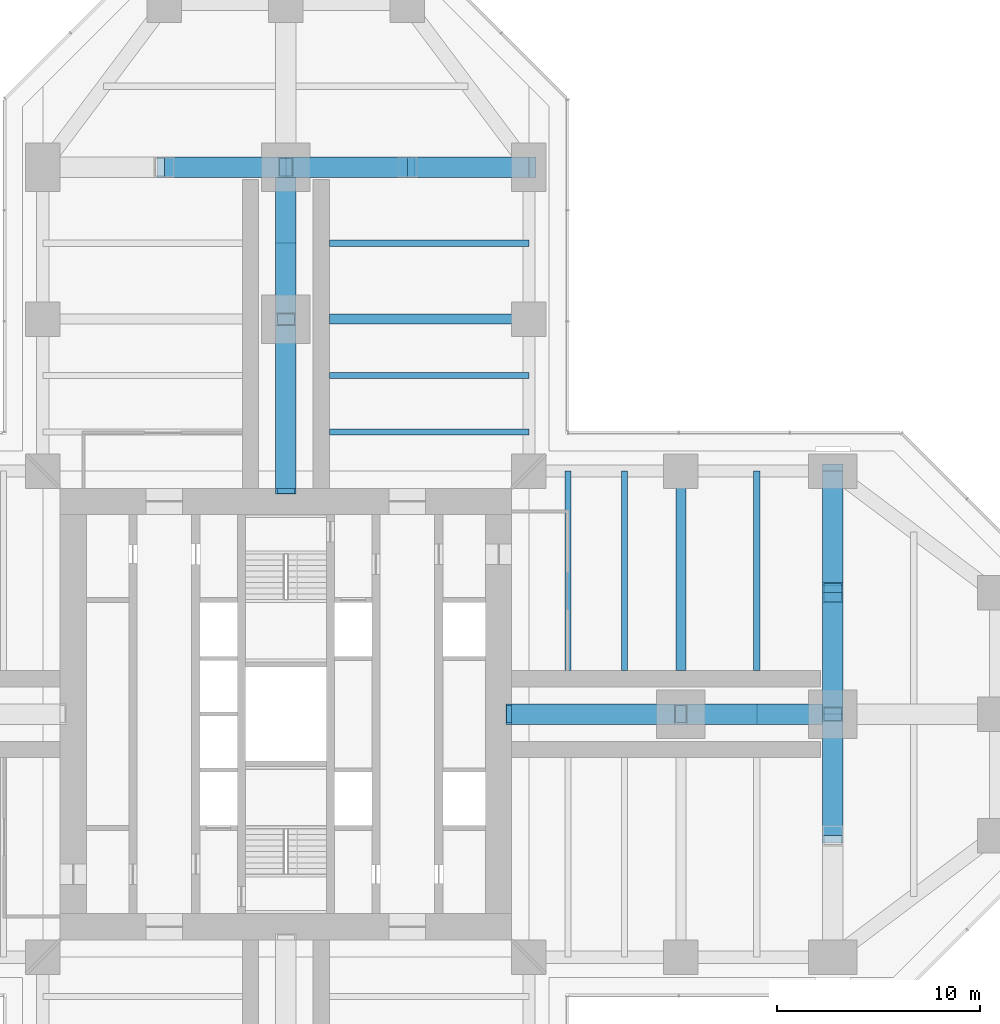
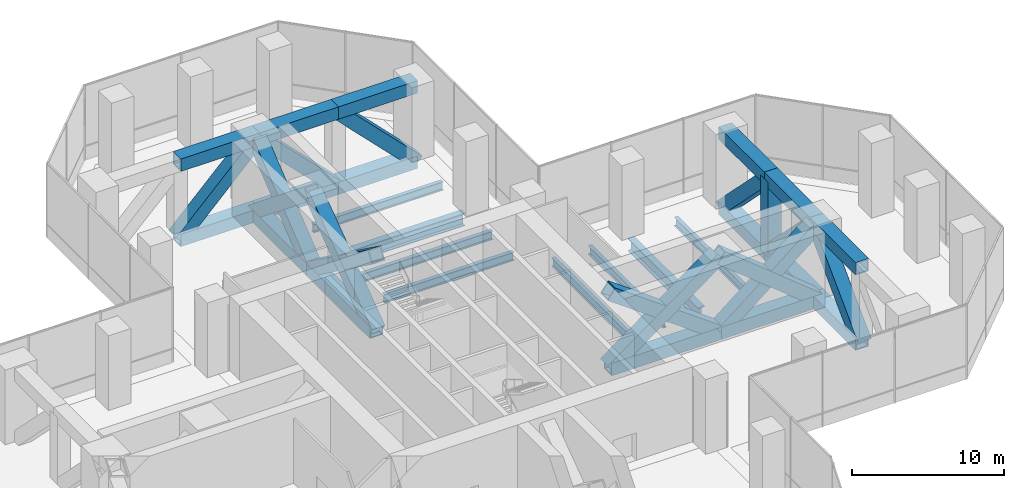
# One storey, part 9 of 20: 27 members, 12 beams.
"""IFC4 building model written with IfcOpenShell, lengths in metres."""

from ifc_helpers import new_model, si_unit, direction, frame, origin, origin_2d, place, context, subcontext, project, spatial, hollow_rectangle, i_section, extrude, material, material_profile, profile_set, type_object, element, save


model = new_model("IFC4")

# Units and contexts
model_context = context("Model", 3, precision=1e-05, world=origin(), true_north=direction((0.0, 1.0)))
body_context = subcontext(model_context, "Body", "Model", "MODEL_VIEW")
ifc_project = project(units=[si_unit("LENGTHUNIT", "METRE"), si_unit("AREAUNIT", "SQUARE_METRE"), si_unit("VOLUMEUNIT", "CUBIC_METRE"), si_unit("PLANEANGLEUNIT", "RADIAN"), si_unit("MASSUNIT", "GRAM", prefix="KILO")], contexts=[model_context])

# Site, building, storey
site_placement = place(None, origin())
site = spatial("IfcSite", under=ifc_project, at=site_placement, CompositionType="ELEMENT")
building_placement = place(site_placement, origin())
building = spatial("IfcBuilding", under=site, at=building_placement, Name="Mizan Broadcast Tower", CompositionType="ELEMENT")
storey_placement = place(building_placement, frame((0.0, 0.0, 118.199951171875)))
storey = spatial("IfcBuildingStorey", under=building, at=storey_placement, Name="L26", CompositionType="ELEMENT", Elevation=118.199951171875)

# Members
ifc_material_1 = material(Name="Steel S460", Category="steel")
ifc_material_profile_1 = material_profile(ifc_material_1, hollow_rectangle(XDim=1.0, YDim=1.0, WallThickness=0.080078125, at=origin_2d()), Name="BOX 1000x1000x80")
ifc_profile_set_1 = profile_set([ifc_material_profile_1], Name="Steel S460")
member_type_1 = type_object("IfcMemberType", Name="BELT TRUSS BT2 CHORD BOX 1000x1000x80", PredefinedType="CHORD", material=ifc_profile_set_1)
for number, where, z_axis, x_axis, name in (
    (1, (27.0, -6.0, -0.679931640625), (0.0, 1.0, 0.0), (-1.0, 0.0, 0.0), "Belt truss BT2-E27 bottom chord 2"),
    (2, (27.0, -6.0, 5.3701171875), (0.0, 1.0, 0.0), (-1.0, 0.0, 0.0), "Belt truss BT2-E27 top chord 2"),
    (3, (27.0, 0.0, -0.679931640625), (0.0, 1.0, 0.0), (-1.0, 0.0, 0.0), "Belt truss BT2-E27 bottom chord 3"),
    (4, (27.0, 0.0, 5.3701171875), (0.0, 1.0, 0.0), (-1.0, 0.0, 0.0), "Belt truss BT2-E27 top chord 3"),
    (5, (27.0, 6.0, -0.679931640625), (0.0, 1.0, 0.0), (-1.0, 0.0, 0.0), "Belt truss BT2-E27 bottom chord 4"),
    (6, (27.0, 6.0, 5.3701171875), (0.0, 1.0, 0.0), (-1.0, 0.0, 0.0), "Belt truss BT2-E27 top chord 4"),
    (7, (12.0, 27.0, -0.679931640625), (-1.0, 0.0, 0.0), (0.0, -1.0, 0.0), "Belt truss BT2-N27 bottom chord 1"),
    (8, (12.0, 27.0, 5.3701171875), (-1.0, 0.0, 0.0), (0.0, -1.0, 0.0), "Belt truss BT2-N27 top chord 1"),
    (9, (6.0, 27.0, -0.679931640625), (-1.0, 0.0, 0.0), (0.0, -1.0, 0.0), "Belt truss BT2-N27 bottom chord 2"),
    (10, (6.0, 27.0, 5.3701171875), (-1.0, 0.0, 0.0), (0.0, -1.0, 0.0), "Belt truss BT2-N27 top chord 2"),
    (11, (0.0, 27.0, -0.679931640625), (-1.0, 0.0, 0.0), (0.0, -1.0, 0.0), "Belt truss BT2-N27 bottom chord 3"),
    (12, (0.0, 27.0, 5.3701171875), (-1.0, 0.0, 0.0), (0.0, -1.0, 0.0), "Belt truss BT2-N27 top chord 3"),
):
    element("IfcMember", number, at=place(storey_placement, frame(where, z_axis=z_axis, x_axis=x_axis)), inside=storey, type_object=member_type_1, Name=name, PredefinedType="CHORD", context=body_context, shape_type="SweptSolid", body=[
        extrude(hollow_rectangle(XDim=1.0, YDim=1.0, WallThickness=0.080078125, at=origin_2d()), origin(), (0.0, 0.0, 1.0), 6.0),
    ])
ifc_material_2 = material(Name="Steel S460", Category="steel")
ifc_material_profile_2 = material_profile(ifc_material_2, hollow_rectangle(XDim=1.0, YDim=1.0, WallThickness=0.06005859375, at=origin_2d()), Name="BOX 1000x1000x60")
ifc_profile_set_2 = profile_set([ifc_material_profile_2], Name="Steel S460")
member_type_2 = type_object("IfcMemberType", Name="BELT TRUSS BT2 DIAGONAL BOX 1000x1000x60", PredefinedType="BRACE", material=ifc_profile_set_2)
for number, where, z_axis, x_axis, name in (
    (13, (27.0, -6.0, -0.679931640625), (0.0, 0.704163801085, 0.710037563261), (-1.0, 0.0, 0.0), "Belt truss BT2-E27 diagonal 2"),
    (14, (27.0, 6.0, -0.679931640625), (0.0, -0.704163801085, 0.710037563261), (1.0, 0.0, 0.0), "Belt truss BT2-E27 diagonal 3"),
    (15, (27.0, 12.0, -0.679931640625), (0.0, -0.704163801085, 0.710037563261), (1.0, 0.0, 0.0), "Belt truss BT2-E27 diagonal 4"),
    (16, (12.0, 27.0, -0.679931640625), (-0.704163801085, 0.0, 0.710037563261), (0.0, -1.0, 0.0), "Belt truss BT2-N27 diagonal 1"),
    (17, (6.0, 27.0, -0.679931640625), (-0.704163801085, 0.0, 0.710037563261), (0.0, -1.0, 0.0), "Belt truss BT2-N27 diagonal 2"),
    (18, (-6.0, 27.0, -0.679931640625), (0.704163801085, 0.0, 0.710037563261), (0.0, 1.0, 0.0), "Belt truss BT2-N27 diagonal 3"),
):
    element("IfcMember", number, at=place(storey_placement, frame(where, z_axis=z_axis, x_axis=x_axis)), inside=storey, type_object=member_type_2, Name=name, PredefinedType="BRACE", context=body_context, shape_type="SweptSolid", body=[
        extrude(hollow_rectangle(XDim=1.0, YDim=1.0, WallThickness=0.06005859375, at=origin_2d()), origin(), (0.0, 0.0, 1.0), 8.520751953125),
    ])
ifc_material_3 = material(Name="Steel S460", Category="steel")
ifc_material_profile_3 = material_profile(ifc_material_3, hollow_rectangle(XDim=1.0, YDim=1.0, WallThickness=0.06005859375, at=origin_2d()), Name="BOX 1000x1000x60")
ifc_profile_set_3 = profile_set([ifc_material_profile_3], Name="Steel S460")
member_type_3 = type_object("IfcMemberType", Name="BELT TRUSS BT2 POST BOX 1000x1000x60", PredefinedType="POST", material=ifc_profile_set_3)
member_placement = place(storey_placement, frame((27.0, 6.0, -0.679931640625), z_axis=(0.0, 0.0, 1.0), x_axis=(1.0, 0.0, 0.0)))
element("IfcMember", 19, at=member_placement, inside=storey, type_object=member_type_3, Name="Belt truss BT2-E27 post 3", PredefinedType="POST", context=body_context, shape_type="SweptSolid", body=[
    extrude(hollow_rectangle(XDim=1.0, YDim=1.0, WallThickness=0.06005859375, at=origin_2d()), origin(), (0.0, 0.0, 1.0), 6.050048828125),
])

# Beams
ifc_material_4 = material(Name="Steel S460", Category="steel")
ifc_material_profile_4 = material_profile(ifc_material_4, i_section(OverallWidth=0.5, OverallDepth=1.0, WebThickness=0.02490234375, FlangeThickness=0.050048828125, at=origin_2d()), Name="WPG 1000x500")
ifc_profile_set_4 = profile_set([ifc_material_profile_4], Name="Steel S460")
beam_type_1 = type_object("IfcBeamType", Name="GIRDER WPG 1000x500", PredefinedType="BEAM", material=ifc_profile_set_4)
for number, where, z_axis, x_axis, name in (
    (20, (19.5, 11.408935546875, -0.679931640625), (0.0, -1.0, 0.0), (1.0, 0.0, 0.0), "Girder WPG 1000x500 L26 east arm"),
    (21, (11.408935546875, 19.5, -0.679931640625), (-1.0, 0.0, 0.0), (0.0, -1.0, 0.0), "Girder WPG 1000x500 L26 north arm"),
):
    element("IfcBeam", number, at=place(storey_placement, frame(where, z_axis=z_axis, x_axis=x_axis)), inside=storey, type_object=beam_type_1, Name=name, PredefinedType="BEAM", context=body_context, shape_type="SweptSolid", body=[
        extrude(i_section(OverallWidth=0.5, OverallDepth=1.0, WebThickness=0.02490234375, FlangeThickness=0.050048828125, at=origin_2d()), origin(), (0.0, 0.0, 1.0), 9.259033203125),
    ])
ifc_material_5 = material(Name="Steel S460", Category="steel")
ifc_material_profile_5 = material_profile(ifc_material_5, hollow_rectangle(XDim=1.0, YDim=1.0, WallThickness=0.080078125, at=origin_2d()), Name="BOX 1000x1000x80")
ifc_profile_set_5 = profile_set([ifc_material_profile_5], Name="Steel S460")
beam_type_2 = type_object("IfcBeamType", Name="OUTRIGGER TRUSS OT2 CHORD BOX 1000x1000x80", PredefinedType="BEAM", material=ifc_profile_set_5)
beam_1_placement = place(storey_placement, frame((11.14990234375, 0.0, -0.679931640625), z_axis=(1.0, 0.0, 0.0), x_axis=(0.0, 1.0, 0.0)))
element("IfcBeam", 22, at=beam_1_placement, inside=storey, type_object=beam_type_2, Name="Outrigger truss OT2-E bottom chord 1", PredefinedType="BEAM", context=body_context, shape_type="SweptSolid", body=[
    extrude(hollow_rectangle(XDim=1.0, YDim=1.0, WallThickness=0.080078125, at=origin_2d()), origin(), (0.0, 0.0, 1.0), 8.35009765625),
])
beam_2_placement = place(storey_placement, frame((19.5, 0.0, -0.679931640625), z_axis=(1.0, 0.0, 0.0), x_axis=(0.0, 1.0, 0.0)))
element("IfcBeam", 23, at=beam_2_placement, inside=storey, type_object=beam_type_2, Name="Outrigger truss OT2-E bottom chord 2", PredefinedType="BEAM", context=body_context, shape_type="SweptSolid", body=[
    extrude(hollow_rectangle(XDim=1.0, YDim=1.0, WallThickness=0.080078125, at=origin_2d()), origin(), (0.0, 0.0, 1.0), 7.5),
])
beam_3_placement = place(storey_placement, frame((0.0, 11.14990234375, -0.679931640625), z_axis=(0.0, 1.0, 0.0), x_axis=(-1.0, 0.0, 0.0)))
element("IfcBeam", 24, at=beam_3_placement, inside=storey, type_object=beam_type_2, Name="Outrigger truss OT2-N bottom chord 1", PredefinedType="BEAM", context=body_context, shape_type="SweptSolid", body=[
    extrude(hollow_rectangle(XDim=1.0, YDim=1.0, WallThickness=0.080078125, at=origin_2d()), origin(), (0.0, 0.0, 1.0), 8.35009765625),
])
beam_4_placement = place(storey_placement, frame((0.0, 19.5, -0.679931640625), z_axis=(0.0, 1.0, 0.0), x_axis=(-1.0, 0.0, 0.0)))
element("IfcBeam", 25, at=beam_4_placement, inside=storey, type_object=beam_type_2, Name="Outrigger truss OT2-N bottom chord 2", PredefinedType="BEAM", context=body_context, shape_type="SweptSolid", body=[
    extrude(hollow_rectangle(XDim=1.0, YDim=1.0, WallThickness=0.080078125, at=origin_2d()), origin(), (0.0, 0.0, 1.0), 7.5),
])

# Members
ifc_material_6 = material(Name="Steel S460", Category="steel")
ifc_material_profile_6 = material_profile(ifc_material_6, hollow_rectangle(XDim=1.0, YDim=1.0, WallThickness=0.080078125, at=origin_2d()), Name="BOX 1000x1000x80")
ifc_profile_set_6 = profile_set([ifc_material_profile_6], Name="Steel S460")
member_type_4 = type_object("IfcMemberType", Name="OUTRIGGER TRUSS OT2 DIAGONAL BOX 1000x1000x80", PredefinedType="BRACE", material=ifc_profile_set_6)
for number, where, z_axis, x_axis, name in (
    (26, (11.14990234375, 0.0, -0.679931640625), (0.809784242605, 0.0, 0.586727773698), (0.0, 1.0, 0.0), "Outrigger truss OT2-E panel 1 diagonal 1"),
    (27, (11.14990234375, 0.0, 5.3701171875), (0.809784242605, 0.0, -0.586727773698), (0.0, 1.0, 0.0), "Outrigger truss OT2-E panel 1 diagonal 2"),
):
    element("IfcMember", number, at=place(storey_placement, frame(where, z_axis=z_axis, x_axis=x_axis)), inside=storey, type_object=member_type_4, Name=name, PredefinedType="BRACE", context=body_context, shape_type="SweptSolid", body=[
        extrude(hollow_rectangle(XDim=1.0, YDim=1.0, WallThickness=0.080078125, at=origin_2d()), origin(), (0.0, 0.0, 1.0), 10.3115234375),
    ])
for number, where, z_axis, x_axis, name in (
    (28, (19.5, 0.0, -0.679931640625), (0.77832876476, 0.0, 0.627856937484), (0.0, 1.0, 0.0), "Outrigger truss OT2-E panel 2 diagonal 1"),
    (29, (19.5, 0.0, 5.3701171875), (0.77832876476, 0.0, -0.627856937484), (0.0, 1.0, 0.0), "Outrigger truss OT2-E panel 2 diagonal 2"),
):
    element("IfcMember", number, at=place(storey_placement, frame(where, z_axis=z_axis, x_axis=x_axis)), inside=storey, type_object=member_type_4, Name=name, PredefinedType="BRACE", context=body_context, shape_type="SweptSolid", body=[
        extrude(hollow_rectangle(XDim=1.0, YDim=1.0, WallThickness=0.080078125, at=origin_2d()), origin(), (0.0, 0.0, 1.0), 9.635986328125),
    ])
for number, where, z_axis, x_axis, name in (
    (30, (0.0, 11.14990234375, -0.679931640625), (0.0, 0.809784242605, 0.586727773698), (-1.0, 0.0, 0.0), "Outrigger truss OT2-N panel 1 diagonal 1"),
    (31, (0.0, 11.14990234375, 5.3701171875), (0.0, 0.809784242605, -0.586727773698), (-1.0, 0.0, 0.0), "Outrigger truss OT2-N panel 1 diagonal 2"),
):
    element("IfcMember", number, at=place(storey_placement, frame(where, z_axis=z_axis, x_axis=x_axis)), inside=storey, type_object=member_type_4, Name=name, PredefinedType="BRACE", context=body_context, shape_type="SweptSolid", body=[
        extrude(hollow_rectangle(XDim=1.0, YDim=1.0, WallThickness=0.080078125, at=origin_2d()), origin(), (0.0, 0.0, 1.0), 10.3115234375),
    ])
for number, where, z_axis, x_axis, name in (
    (32, (0.0, 19.5, -0.679931640625), (0.0, 0.77832876476, 0.627856937484), (-1.0, 0.0, 0.0), "Outrigger truss OT2-N panel 2 diagonal 1"),
    (33, (0.0, 19.5, 5.3701171875), (0.0, 0.77832876476, -0.627856937484), (-1.0, 0.0, 0.0), "Outrigger truss OT2-N panel 2 diagonal 2"),
):
    element("IfcMember", number, at=place(storey_placement, frame(where, z_axis=z_axis, x_axis=x_axis)), inside=storey, type_object=member_type_4, Name=name, PredefinedType="BRACE", context=body_context, shape_type="SweptSolid", body=[
        extrude(hollow_rectangle(XDim=1.0, YDim=1.0, WallThickness=0.080078125, at=origin_2d()), origin(), (0.0, 0.0, 1.0), 9.635986328125),
    ])

# Beams
ifc_material_7 = material(Name="Steel S355", Category="steel")
ifc_material_profile_7 = material_profile(ifc_material_7, i_section(OverallWidth=0.300048828125, OverallDepth=0.68994140625, WebThickness=0.014404296875, FlangeThickness=0.027099609375, FilletRadius=0.027099609375, at=origin_2d()), Name="HEA 700")
ifc_profile_set_7 = profile_set([ifc_material_profile_7], Name="Steel S355")
beam_type_3 = type_object("IfcBeamType", Name="SECONDARY BEAM HEA 700", PredefinedType="JOIST", material=ifc_profile_set_7)
for number, where, z_axis, x_axis, name in (
    (34, (13.933349609375, 12.0, -0.52490234375), (0.0, -1.0, 0.0), (1.0, 0.0, 0.0), "Secondary beam HEA 700 L26 east arm"),
    (35, (16.716552734375, 12.0, -0.52490234375), (0.0, -1.0, 0.0), (1.0, 0.0, 0.0), "Secondary beam HEA 700 L26 east arm"),
    (36, (23.25, 12.0, -0.52490234375), (0.0, -1.0, 0.0), (1.0, 0.0, 0.0), "Secondary beam HEA 700 L26 east arm"),
    (37, (12.0, 13.933349609375, -0.52490234375), (-1.0, 0.0, 0.0), (0.0, -1.0, 0.0), "Secondary beam HEA 700 L26 north arm"),
    (38, (12.0, 16.716552734375, -0.52490234375), (-1.0, 0.0, 0.0), (0.0, -1.0, 0.0), "Secondary beam HEA 700 L26 north arm"),
    (39, (12.0, 23.25, -0.52490234375), (-1.0, 0.0, 0.0), (0.0, -1.0, 0.0), "Secondary beam HEA 700 L26 north arm"),
):
    element("IfcBeam", number, at=place(storey_placement, frame(where, z_axis=z_axis, x_axis=x_axis)), inside=storey, type_object=beam_type_3, Name=name, PredefinedType="JOIST", context=body_context, shape_type="SweptSolid", body=[
        extrude(i_section(OverallWidth=0.300048828125, OverallDepth=0.68994140625, WebThickness=0.014404296875, FlangeThickness=0.027099609375, FilletRadius=0.027099609375, at=origin_2d()), origin(), (0.0, 0.0, 1.0), 9.85009765625),
    ])

save(model, "model.ifc")
